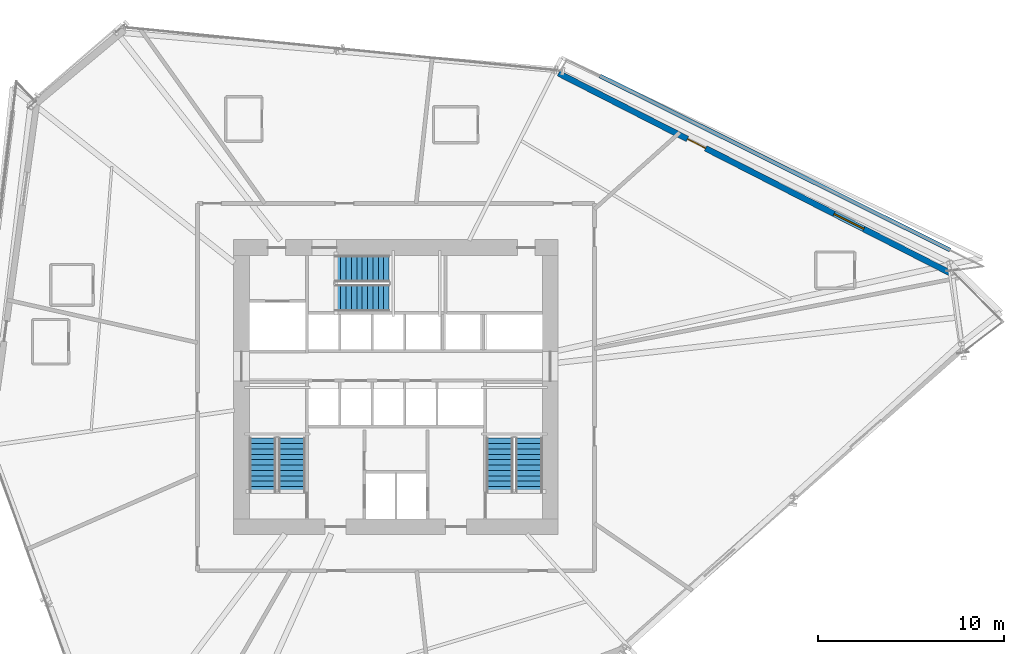
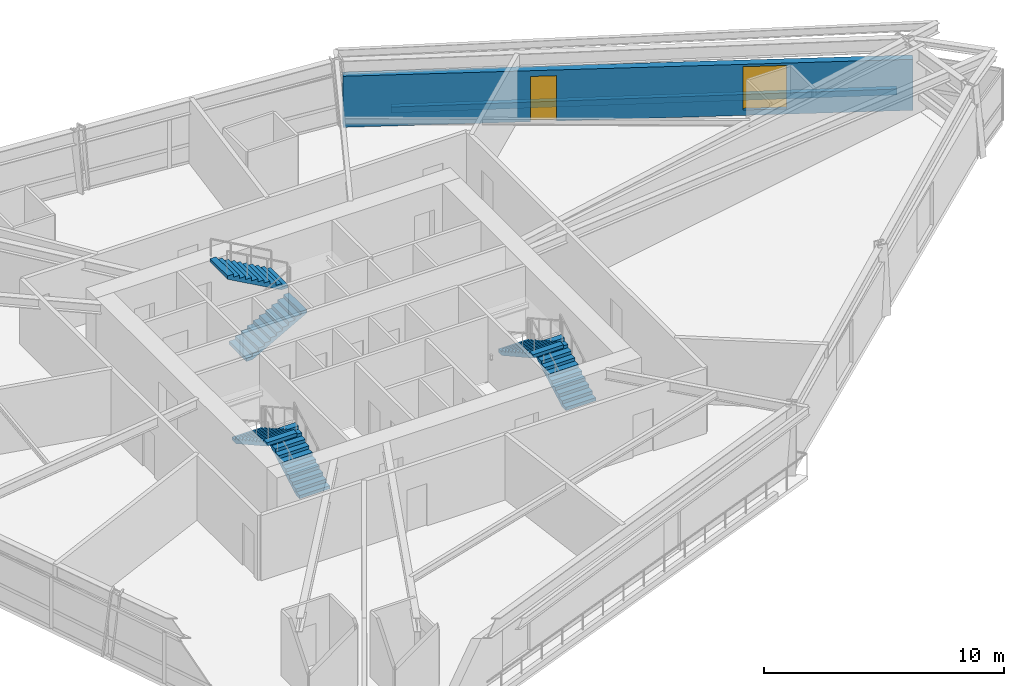
# One storey, part 20 of 24: 6 stair flights, 2 walls, 1 door, 1 window, 2 openings, 3 elements without a shape of their own.
"""IFC4 building model written with IfcOpenShell, lengths in metres."""

from ifc_helpers import new_model, si_unit, direction, frame, frame_2d, origin, place, context, subcontext, project, spatial, polyline, rectangle, outline, extrude, source, transform, mapped, material, layer, layer_set, type_object, type_shapes, element, fill, aggregate, save


model = new_model("IFC4")

# Units and contexts
model_context = context("Model", 3, precision=1e-05, world=origin(), true_north=direction((0.0, 1.0)))
body_context = subcontext(model_context, "Body", "Model", "MODEL_VIEW")
ifc_project = project(units=[si_unit("LENGTHUNIT", "METRE"), si_unit("AREAUNIT", "SQUARE_METRE"), si_unit("VOLUMEUNIT", "CUBIC_METRE"), si_unit("PLANEANGLEUNIT", "RADIAN"), si_unit("MASSUNIT", "GRAM", prefix="KILO")], contexts=[model_context])

# Site, building, storey
site_placement = place(None, origin())
site = spatial("IfcSite", under=ifc_project, at=site_placement, CompositionType="ELEMENT")
building_placement = place(site_placement, origin())
building = spatial("IfcBuilding", under=site, at=building_placement, Name="Olszyna Solenne Hotel", CompositionType="ELEMENT")
storey_placement = place(building_placement, frame((0.0, 0.0, 64.800048828125)))
storey = spatial("IfcBuildingStorey", under=building, at=storey_placement, Name="L16", CompositionType="ELEMENT", Elevation=64.800048828125)

# Wall, openings, door, window
ifc_material_1 = material(Name="Precast concrete C45/55", Category="concrete")
ifc_layer_1 = layer(ifc_material_1, 0.320068359375, Name="Precast concrete C45/55")
ifc_layer_set_1 = layer_set([ifc_layer_1], Name="Precast concrete C45/55")
wall_type_1 = type_object("IfcWallType", Name="WL-EX320", PredefinedType="SOLIDWALL", material=ifc_layer_set_1)
wall_1_placement = place(storey_placement, frame((46.771484375, 43.51708984375, 0.0), z_axis=(0.0, 0.0, 1.0), x_axis=(0.890856769482, -0.454284290141, 0.0)))
wall_1 = element("IfcWall", 1, at=wall_1_placement, inside=storey, type_object=wall_type_1, Name="Exterior terracotta-precast frame wall WL-EX320 EW-L16-07", PredefinedType="SOLIDWALL", context=body_context, shape_type="SweptSolid", body=[
    extrude(rectangle(XDim=23.736083984375, YDim=0.320068359375, at=frame_2d((11.8681640625, 0.0))), origin(), (0.0, 0.0, 1.0), 2.592041015625),
])
opening_1_placement = place(wall_1_placement, frame((7.7958984375, 0.0, 0.0)))
opening_1 = element("IfcOpeningElement", 2, at=opening_1_placement, cuts=wall_1, Name="Opening LDG-L16-1", PredefinedType="OPENING", context=body_context, shape_type="SweptSolid", body=[
    extrude(rectangle(XDim=1.10009765625, YDim=2.300048828125, at=frame_2d((0.550048828125, 1.14990234375))), frame((0.0, 0.169921875, 0.0), z_axis=(0.0, -1.0, 0.0), x_axis=(1.0, 0.0, 0.0)), (0.0, 0.0, 1.0), 0.340087890625),
])
opening_2_placement = place(wall_1_placement, frame((16.6650390625, 0.0, 0.27197265625)))
opening_2 = element("IfcOpeningElement", 3, at=opening_2_placement, cuts=wall_1, Name="Opening WN-L16-076", PredefinedType="OPENING", context=body_context, shape_type="SweptSolid", body=[
    extrude(rectangle(XDim=1.800048828125, YDim=2.199951171875, at=frame_2d((0.89990234375, 1.10009765625))), frame((0.0, 0.169921875, 0.0), z_axis=(0.0, -1.0, 0.0), x_axis=(1.0, 0.0, 0.0)), (0.0, 0.0, 1.0), 0.340087890625),
])
ifc_material_2 = material(Name="Anodised bronze aluminium", Category="aluminium")
door_type = type_object("IfcDoorType", Name="DR-LG1", OperationType="NOTDEFINED", PredefinedType="DOOR", material=ifc_material_2)
shared_shape_1 = source(origin(), body_context, "Body", "SweptSolid", [
    extrude(rectangle(XDim=1.10009765625, YDim=2.300048828125, at=frame_2d((0.550048828125, 1.14990234375))), frame((0.0, 0.02490234375, 0.0), z_axis=(0.0, -1.0, 0.0), x_axis=(1.0, 0.0, 0.0)), (0.0, 0.0, 1.0), 0.050048828125),
])
type_shapes(door_type, [shared_shape_1])
door_placement = place(opening_1_placement, origin())
door = element("IfcDoor", 4, at=door_placement, inside=storey, type_object=door_type, Name="Exterior loggia balcony door DR-LG1 LDG-L16-1", OperationType="SINGLE_SWING_RIGHT", OverallHeight=2.300048828125, OverallWidth=1.10009765625, PredefinedType="DOOR", context=body_context, shape_type="MappedRepresentation", body=[
    mapped(shared_shape_1, transform((0.0, 0.0, 0.0), x_axis=(1.0, 0.0, 0.0), y_axis=(0.0, 1.0, 0.0), z_axis=(0.0, 0.0, 1.0), scale=1.0)),
])
fill(opening_1, door)
ifc_material_3 = material(Name="Low-E triple glazing", Category="glass")
window_type = type_object("IfcWindowType", Name="WN-HT1", PartitioningType="SINGLE_PANEL", PredefinedType="WINDOW", material=ifc_material_3)
shared_shape_2 = source(origin(), body_context, "Body", "SweptSolid", [
    extrude(rectangle(XDim=1.800048828125, YDim=2.199951171875, at=frame_2d((0.89990234375, 1.10009765625))), frame((0.0, 0.030029296875, 0.0), z_axis=(0.0, -1.0, 0.0), x_axis=(1.0, 0.0, 0.0)), (0.0, 0.0, 1.0), 0.06005859375),
])
type_shapes(window_type, [shared_shape_2])
window_placement = place(opening_2_placement, origin())
window = element("IfcWindow", 5, at=window_placement, inside=storey, type_object=window_type, Name="Loggia room window WN-HT1 WN-L16-076", OverallHeight=2.199951171875, OverallWidth=1.800048828125, PartitioningType="SINGLE_PANEL", PredefinedType="WINDOW", context=body_context, shape_type="MappedRepresentation", body=[
    mapped(shared_shape_2, transform((0.0, 0.0, 0.0), x_axis=(1.0, 0.0, 0.0), y_axis=(0.0, 1.0, 0.0), z_axis=(0.0, 0.0, 1.0), scale=1.0)),
])
fill(opening_2, window)

# Wall
ifc_layer_2 = layer(ifc_material_1, 0.219970703125, Name="Precast concrete C45/55")
ifc_layer_set_2 = layer_set([ifc_layer_2], Name="Precast concrete C45/55")
wall_type_2 = type_object("IfcWallType", Name="WL-PR220", PredefinedType="PARAPET", material=ifc_layer_set_2)
wall_2_placement = place(storey_placement, frame((67.86962890625, 33.994384765625, 0.0), z_axis=(0.0, 0.0, 1.0), x_axis=(-0.895402951346, 0.445256729002, 0.0)))
element("IfcWall", 6, at=wall_2_placement, inside=storey, type_object=wall_type_2, Name="Loggia balcony precast kerb PR-L16-LG1", PredefinedType="PARAPET", context=body_context, shape_type="SweptSolid", body=[
    extrude(rectangle(XDim=21.0712890625, YDim=0.219970703125, at=frame_2d((10.53564453125, 0.0))), origin(), (0.0, 0.0, 1.0), 0.300048828125),
])

# Stair, stair flights
ifc_material_4 = material(Name="Concrete C40/50", Category="concrete")
stair_type = type_object("IfcStairType", Name="STR-C1", PredefinedType="TWO_QUARTER_WINDING_STAIR", material=ifc_material_4)
stair_1_placement = place(storey_placement, origin())
stair_1 = element("IfcStair", 7, at=stair_1_placement, inside=storey, type_object=stair_type, Name="L16 ST1", PredefinedType="TWO_QUARTER_WINDING_STAIR")
stair_flight_type = type_object("IfcStairFlightType", Name="FLT-C1", PredefinedType="STRAIGHT", material=ifc_material_4)
stair_flight_1_placement = place(storey_placement, frame((32.39501953125, 20.949951171875, 0.0), z_axis=(0.0, 0.0, 1.0), x_axis=(0.0, 1.0, 0.0)))
stair_flight_1 = element("IfcStairFlight", 8, at=stair_flight_1_placement, type_object=stair_flight_type, Name="ST1 flight 1", NumberOfRisers=11, NumberOfTreads=10, PredefinedType="STRAIGHT", RiserHeight=0.161363636, TreadLength=0.29, context=body_context, shape_type="SweptSolid", body=[
    extrude(outline(polyline([(0.0, 0.0), (0.0, 0.161376953125), (0.2900390625, 0.161376953125), (0.2900390625, 0.32275390625), (0.580078125, 0.32275390625), (0.580078125, 0.484130859375), (0.8701171875, 0.484130859375), (0.8701171875, 0.6455078125), (1.159912109375, 0.6455078125), (1.159912109375, 0.806884765625), (1.449951171875, 0.806884765625), (1.449951171875, 0.96826171875), (1.739990234375, 0.96826171875), (1.739990234375, 1.129638671875), (2.030029296875, 1.129638671875), (2.030029296875, 1.291015625), (2.320068359375, 1.291015625), (2.320068359375, 1.452392578125), (2.610107421875, 1.452392578125), (2.610107421875, 1.613525390625), (2.89990234375, 1.613525390625), (2.89990234375, 1.77490234375), (2.89990234375, 1.442138671875), (0.308349609375, 0.0), (0.0, 0.0)])), frame((0.0, 0.72509765625, 0.0), z_axis=(0.0, -1.0, 0.0), x_axis=(1.0, 0.0, 0.0)), (0.0, 0.0, 1.0), 1.449951171875),
])
stair_flight_2_placement = place(storey_placement, frame((30.824951171875, 23.85009765625, 1.77490234375), z_axis=(0.0, 0.0, 1.0), x_axis=(0.0, -1.0, 0.0)))
stair_flight_2 = element("IfcStairFlight", 9, at=stair_flight_2_placement, type_object=stair_flight_type, Name="ST1 flight 2", NumberOfRisers=11, NumberOfTreads=10, PredefinedType="STRAIGHT", RiserHeight=0.161363636, TreadLength=0.29, context=body_context, shape_type="SweptSolid", body=[
    extrude(outline(polyline([(0.0, 0.0), (0.0, 0.161376953125), (0.2900390625, 0.161376953125), (0.2900390625, 0.32275390625), (0.580078125, 0.32275390625), (0.580078125, 0.484130859375), (0.8701171875, 0.484130859375), (0.8701171875, 0.6455078125), (1.159912109375, 0.6455078125), (1.159912109375, 0.806884765625), (1.449951171875, 0.806884765625), (1.449951171875, 0.96826171875), (1.739990234375, 0.96826171875), (1.739990234375, 1.129638671875), (2.030029296875, 1.129638671875), (2.030029296875, 1.291015625), (2.320068359375, 1.291015625), (2.320068359375, 1.452392578125), (2.610107421875, 1.452392578125), (2.610107421875, 1.613525390625), (2.89990234375, 1.613525390625), (2.89990234375, 1.77490234375), (2.89990234375, 1.442138671875), (0.308349609375, 0.0), (0.0, 0.0)])), frame((0.0, 0.72509765625, 0.0), z_axis=(0.0, -1.0, 0.0), x_axis=(1.0, 0.0, 0.0)), (0.0, 0.0, 1.0), 1.449951171875),
])
aggregate(stair_1, [stair_flight_1, stair_flight_2])

stair_2_placement = place(storey_placement, origin())
stair_2 = element("IfcStair", 10, at=stair_2_placement, inside=storey, type_object=stair_type, Name="L16 ST2", PredefinedType="TWO_QUARTER_WINDING_STAIR")
stair_flight_3_placement = place(storey_placement, frame((45.175048828125, 20.949951171875, 0.0), z_axis=(0.0, 0.0, 1.0), x_axis=(0.0, 1.0, 0.0)))
stair_flight_3 = element("IfcStairFlight", 11, at=stair_flight_3_placement, type_object=stair_flight_type, Name="ST2 flight 1", NumberOfRisers=11, NumberOfTreads=10, PredefinedType="STRAIGHT", RiserHeight=0.161363636, TreadLength=0.29, context=body_context, shape_type="SweptSolid", body=[
    extrude(outline(polyline([(0.0, 0.0), (0.0, 0.161376953125), (0.2900390625, 0.161376953125), (0.2900390625, 0.32275390625), (0.580078125, 0.32275390625), (0.580078125, 0.484130859375), (0.8701171875, 0.484130859375), (0.8701171875, 0.6455078125), (1.159912109375, 0.6455078125), (1.159912109375, 0.806884765625), (1.449951171875, 0.806884765625), (1.449951171875, 0.96826171875), (1.739990234375, 0.96826171875), (1.739990234375, 1.129638671875), (2.030029296875, 1.129638671875), (2.030029296875, 1.291015625), (2.320068359375, 1.291015625), (2.320068359375, 1.452392578125), (2.610107421875, 1.452392578125), (2.610107421875, 1.613525390625), (2.89990234375, 1.613525390625), (2.89990234375, 1.77490234375), (2.89990234375, 1.442138671875), (0.308349609375, 0.0), (0.0, 0.0)])), frame((0.0, 0.72509765625, 0.0), z_axis=(0.0, -1.0, 0.0), x_axis=(1.0, 0.0, 0.0)), (0.0, 0.0, 1.0), 1.449951171875),
])
stair_flight_4_placement = place(storey_placement, frame((43.60498046875, 23.85009765625, 1.77490234375), z_axis=(0.0, 0.0, 1.0), x_axis=(0.0, -1.0, 0.0)))
stair_flight_4 = element("IfcStairFlight", 12, at=stair_flight_4_placement, type_object=stair_flight_type, Name="ST2 flight 2", NumberOfRisers=11, NumberOfTreads=10, PredefinedType="STRAIGHT", RiserHeight=0.161363636, TreadLength=0.29, context=body_context, shape_type="SweptSolid", body=[
    extrude(outline(polyline([(0.0, 0.0), (0.0, 0.161376953125), (0.2900390625, 0.161376953125), (0.2900390625, 0.32275390625), (0.580078125, 0.32275390625), (0.580078125, 0.484130859375), (0.8701171875, 0.484130859375), (0.8701171875, 0.6455078125), (1.159912109375, 0.6455078125), (1.159912109375, 0.806884765625), (1.449951171875, 0.806884765625), (1.449951171875, 0.96826171875), (1.739990234375, 0.96826171875), (1.739990234375, 1.129638671875), (2.030029296875, 1.129638671875), (2.030029296875, 1.291015625), (2.320068359375, 1.291015625), (2.320068359375, 1.452392578125), (2.610107421875, 1.452392578125), (2.610107421875, 1.613525390625), (2.89990234375, 1.613525390625), (2.89990234375, 1.77490234375), (2.89990234375, 1.442138671875), (0.308349609375, 0.0), (0.0, 0.0)])), frame((0.0, 0.72509765625, 0.0), z_axis=(0.0, -1.0, 0.0), x_axis=(1.0, 0.0, 0.0)), (0.0, 0.0, 1.0), 1.449951171875),
])
aggregate(stair_2, [stair_flight_3, stair_flight_4])

stair_3_placement = place(storey_placement, origin())
stair_3 = element("IfcStair", 13, at=stair_3_placement, inside=storey, type_object=stair_type, Name="L16 ST3", PredefinedType="TWO_QUARTER_WINDING_STAIR")
stair_flight_5_placement = place(storey_placement, frame((34.72998046875, 31.405029296875, 0.0), z_axis=(0.0, 0.0, 1.0), x_axis=(1.0, 0.0, 0.0)))
stair_flight_5 = element("IfcStairFlight", 14, at=stair_flight_5_placement, type_object=stair_flight_type, Name="ST3 flight 1", NumberOfRisers=11, NumberOfTreads=10, PredefinedType="STRAIGHT", RiserHeight=0.161363636, TreadLength=0.29, context=body_context, shape_type="SweptSolid", body=[
    extrude(outline(polyline([(0.0, 0.0), (0.0, 0.161376953125), (0.2900390625, 0.161376953125), (0.2900390625, 0.32275390625), (0.580078125, 0.32275390625), (0.580078125, 0.484130859375), (0.8701171875, 0.484130859375), (0.8701171875, 0.6455078125), (1.159912109375, 0.6455078125), (1.159912109375, 0.806884765625), (1.449951171875, 0.806884765625), (1.449951171875, 0.96826171875), (1.739990234375, 0.96826171875), (1.739990234375, 1.129638671875), (2.030029296875, 1.129638671875), (2.030029296875, 1.291015625), (2.320068359375, 1.291015625), (2.320068359375, 1.452392578125), (2.610107421875, 1.452392578125), (2.610107421875, 1.613525390625), (2.89990234375, 1.613525390625), (2.89990234375, 1.77490234375), (2.89990234375, 1.442138671875), (0.308349609375, 0.0), (0.0, 0.0)])), frame((0.0, 0.72509765625, 0.0), z_axis=(0.0, -1.0, 0.0), x_axis=(1.0, 0.0, 0.0)), (0.0, 0.0, 1.0), 1.449951171875),
])
stair_flight_6_placement = place(storey_placement, frame((37.6298828125, 32.97509765625, 1.77490234375), z_axis=(0.0, 0.0, 1.0), x_axis=(-1.0, 0.0, 0.0)))
stair_flight_6 = element("IfcStairFlight", 15, at=stair_flight_6_placement, type_object=stair_flight_type, Name="ST3 flight 2", NumberOfRisers=11, NumberOfTreads=10, PredefinedType="STRAIGHT", RiserHeight=0.161363636, TreadLength=0.29, context=body_context, shape_type="SweptSolid", body=[
    extrude(outline(polyline([(0.0, 0.0), (0.0, 0.161376953125), (0.2900390625, 0.161376953125), (0.2900390625, 0.32275390625), (0.580078125, 0.32275390625), (0.580078125, 0.484130859375), (0.8701171875, 0.484130859375), (0.8701171875, 0.6455078125), (1.159912109375, 0.6455078125), (1.159912109375, 0.806884765625), (1.449951171875, 0.806884765625), (1.449951171875, 0.96826171875), (1.739990234375, 0.96826171875), (1.739990234375, 1.129638671875), (2.030029296875, 1.129638671875), (2.030029296875, 1.291015625), (2.320068359375, 1.291015625), (2.320068359375, 1.452392578125), (2.610107421875, 1.452392578125), (2.610107421875, 1.613525390625), (2.89990234375, 1.613525390625), (2.89990234375, 1.77490234375), (2.89990234375, 1.442138671875), (0.308349609375, 0.0), (0.0, 0.0)])), frame((0.0, 0.72509765625, 0.0), z_axis=(0.0, -1.0, 0.0), x_axis=(1.0, 0.0, 0.0)), (0.0, 0.0, 1.0), 1.449951171875),
])
aggregate(stair_3, [stair_flight_5, stair_flight_6])

save(model, "model.ifc")
